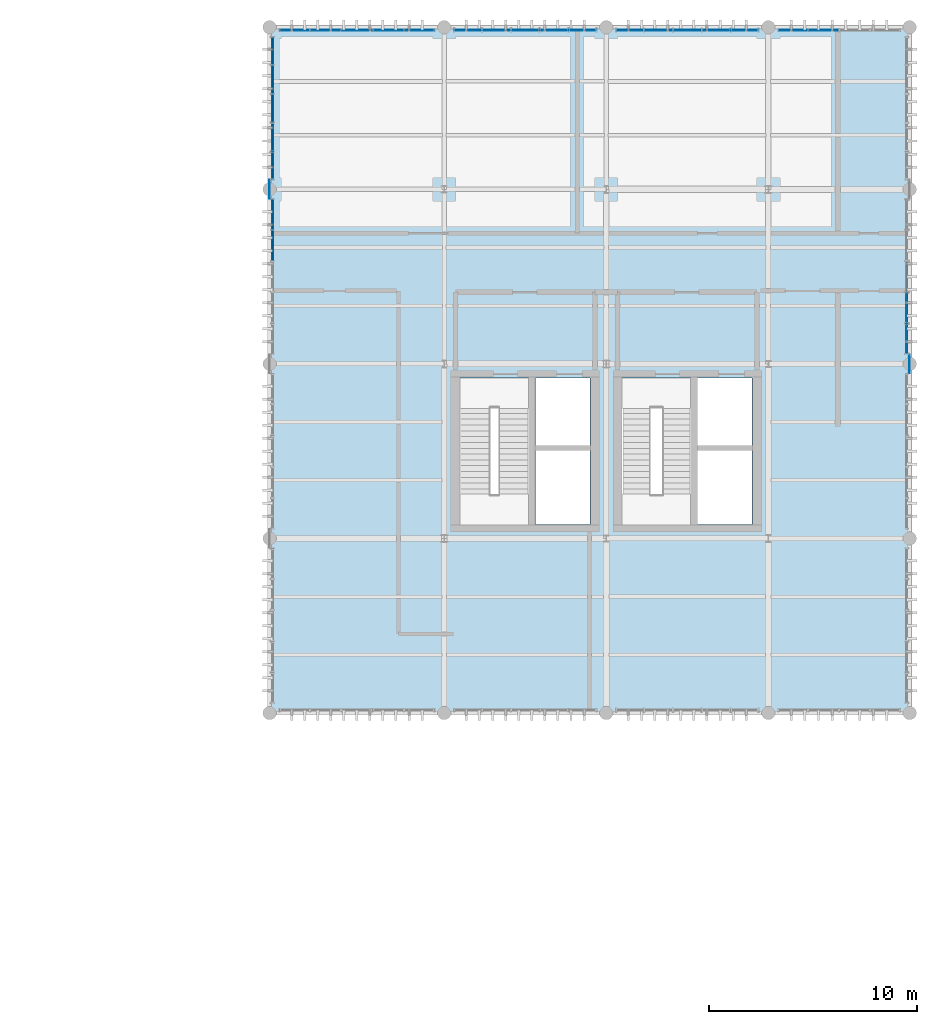
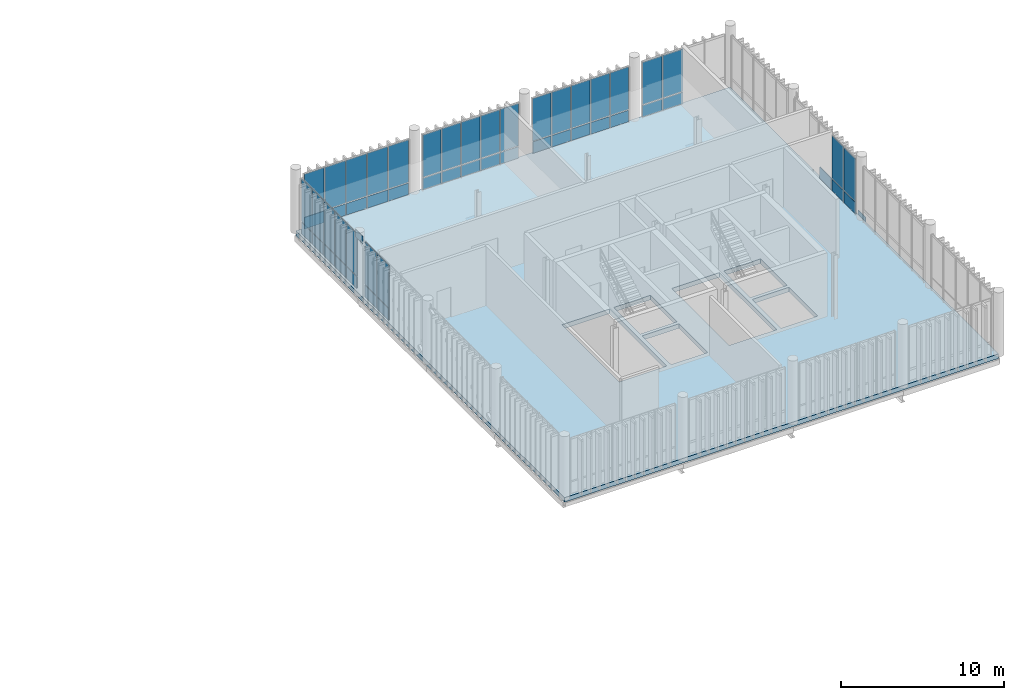
# One storey, part 69 of 86: 55 plates, 1 slab, 7 elements without a shape of their own.
"""IFC4 building model written with IfcOpenShell, lengths in metres."""

from ifc_helpers import new_model, si_unit, direction, frame, frame_2d, origin_with_axes, origin_2d_with_axis, place, context, subcontext, project, spatial, polyline, rectangle, outline, extrude, material, layer, layer_set, type_object, element, aggregate, save


model = new_model("IFC4")

# Units and contexts
model_context = context("Model", 3, precision=1e-05, world=origin_with_axes(), true_north=direction((0.0, 1.0)))
body_context = subcontext(model_context, "Body", "Model", "MODEL_VIEW")
ifc_project = project(units=[si_unit("LENGTHUNIT", "METRE"), si_unit("AREAUNIT", "SQUARE_METRE"), si_unit("VOLUMEUNIT", "CUBIC_METRE"), si_unit("PLANEANGLEUNIT", "RADIAN"), si_unit("MASSUNIT", "GRAM", prefix="KILO"), si_unit("THERMODYNAMICTEMPERATUREUNIT", "KELVIN")], contexts=[model_context])

# Site, building, storey
site_placement = place(None, origin_with_axes())
site = spatial("IfcSite", under=ifc_project, at=site_placement, CompositionType="ELEMENT")
building_placement = place(site_placement, origin_with_axes())
building = spatial("IfcBuilding", under=site, at=building_placement, Name="Montbau Bow Law Courts", CompositionType="ELEMENT")
storey_placement = place(building_placement, frame((0.0, 0.0, 29.7), z_axis=(0.0, 0.0, 1.0), x_axis=(1.0, 0.0, 0.0)))
storey = spatial("IfcBuildingStorey", under=building, at=storey_placement, Name="L06", CompositionType="ELEMENT", Elevation=29.7)

# Curtain wall, plates
ifc_material_1 = material(Name="Thermally Broken Extruded Aluminium AA 6063-T6", Category="aluminium")
curtain_wall_type = type_object("IfcCurtainWallType", Name="CW-SLT-02", PredefinedType="NOTDEFINED", material=ifc_material_1)
curtain_wall_1_placement = place(None, frame((139.04, 110.86, 29.7), z_axis=(0.0, 0.0, 1.0), x_axis=(1.0, 0.0, 0.0)))
curtain_wall_1 = element("IfcCurtainWall", 1, at=curtain_wall_1_placement, inside=storey, type_object=curtain_wall_type, Name="CW-L06-353:cw_0353", PredefinedType="NOTDEFINED")
ifc_material_2 = material(Name="Triple-Glazed Low-E Argon Insulating Glass Unit", Category="glass")
ifc_layer_1 = layer(ifc_material_2, 0.044, Name="Curtain Panel", Category="glass")
ifc_layer_set_1 = layer_set([ifc_layer_1], Name="Triple-Glazed Low-E Argon Insulating Glass Unit")
plate_type_1 = type_object("IfcPlateType", Name="PL-CWP-01", PredefinedType="CURTAIN_PANEL", material=ifc_layer_set_1)
plate_1_placement = place(None, frame((139.102, 110.86, 30.679), z_axis=(0.0, -1.0, 0.0), x_axis=(1.0, 0.0, 0.0)))
plate_1 = element("IfcPlate", 2, at=plate_1_placement, type_object=plate_type_1, Name="CW-L06-353-P01-2:cw_0353_P01_2", PredefinedType="CURTAIN_PANEL", context=body_context, shape_type="SweptSolid", body=[
    extrude(rectangle(XDim=1.41, YDim=3.183, at=frame_2d((0.705, 1.5915), x_axis=(1.0, 0.0))), frame((0.0, 0.0, -0.022), z_axis=(0.0, 0.0, 1.0), x_axis=(1.0, 0.0, 0.0)), (0.0, 0.0, 1.0), 0.044),
])
plate_2_placement = place(None, frame((140.576, 110.86, 30.679), z_axis=(0.0, -1.0, 0.0), x_axis=(1.0, 0.0, 0.0)))
plate_2 = element("IfcPlate", 3, at=plate_2_placement, type_object=plate_type_1, Name="CW-L06-353-P02-2:cw_0353_P02_2", PredefinedType="CURTAIN_PANEL", context=body_context, shape_type="SweptSolid", body=[
    extrude(rectangle(XDim=1.44, YDim=3.183, at=frame_2d((0.72, 1.5915), x_axis=(1.0, 0.0))), frame((0.0, 0.0, -0.022), z_axis=(0.0, 0.0, 1.0), x_axis=(1.0, 0.0, 0.0)), (0.0, 0.0, 1.0), 0.044),
])
plate_3_placement = place(None, frame((142.08, 110.86, 30.679), z_axis=(0.0, -1.0, 0.0), x_axis=(1.0, 0.0, 0.0)))
plate_3 = element("IfcPlate", 4, at=plate_3_placement, type_object=plate_type_1, Name="CW-L06-353-P03-2:cw_0353_P03_2", PredefinedType="CURTAIN_PANEL", context=body_context, shape_type="SweptSolid", body=[
    extrude(rectangle(XDim=1.44, YDim=3.183, at=frame_2d((0.72, 1.5915), x_axis=(1.0, 0.0))), frame((0.0, 0.0, -0.022), z_axis=(0.0, 0.0, 1.0), x_axis=(1.0, 0.0, 0.0)), (0.0, 0.0, 1.0), 0.044),
])
plate_4_placement = place(None, frame((143.584, 110.86, 30.679), z_axis=(0.0, -1.0, 0.0), x_axis=(1.0, 0.0, 0.0)))
plate_4 = element("IfcPlate", 5, at=plate_4_placement, type_object=plate_type_1, Name="CW-L06-353-P04-2:cw_0353_P04_2", PredefinedType="CURTAIN_PANEL", context=body_context, shape_type="SweptSolid", body=[
    extrude(rectangle(XDim=1.44, YDim=3.183, at=frame_2d((0.72, 1.5915), x_axis=(1.0, 0.0))), frame((0.0, 0.0, -0.022), z_axis=(0.0, 0.0, 1.0), x_axis=(1.0, 0.0, 0.0)), (0.0, 0.0, 1.0), 0.044),
])
plate_5_placement = place(None, frame((145.088, 110.86, 30.679), z_axis=(0.0, -1.0, 0.0), x_axis=(1.0, 0.0, 0.0)))
plate_5 = element("IfcPlate", 6, at=plate_5_placement, type_object=plate_type_1, Name="CW-L06-353-P05-2:cw_0353_P05_2", PredefinedType="CURTAIN_PANEL", context=body_context, shape_type="SweptSolid", body=[
    extrude(rectangle(XDim=1.41, YDim=3.183, at=frame_2d((0.705, 1.5915), x_axis=(1.0, 0.0))), frame((0.0, 0.0, -0.022), z_axis=(0.0, 0.0, 1.0), x_axis=(1.0, 0.0, 0.0)), (0.0, 0.0, 1.0), 0.044),
])

curtain_wall_2_placement = place(None, frame((147.44, 110.86, 29.7), z_axis=(0.0, 0.0, 1.0), x_axis=(1.0, 0.0, 0.0)))
curtain_wall_2 = element("IfcCurtainWall", 7, at=curtain_wall_2_placement, inside=storey, type_object=curtain_wall_type, Name="CW-L06-354:cw_0354", PredefinedType="NOTDEFINED")
plate_6_placement = place(None, frame((147.516, 110.86, 30.682), z_axis=(0.0, -1.0, 0.0), x_axis=(1.0, 0.0, 0.0)))
plate_6 = element("IfcPlate", 8, at=plate_6_placement, type_object=plate_type_1, Name="CW-L06-354-P01-2:cw_0354_P01_2", PredefinedType="CURTAIN_PANEL", context=body_context, shape_type="SweptSolid", body=[
    extrude(rectangle(XDim=1.268, YDim=3.176, at=frame_2d((0.634, 1.588), x_axis=(1.0, 0.0))), frame((0.0, 0.0, -0.022), z_axis=(0.0, 0.0, 1.0), x_axis=(1.0, 0.0, 0.0)), (0.0, 0.0, 1.0), 0.044),
])
plate_7_placement = place(None, frame((148.863, 110.86, 30.682), z_axis=(0.0, -1.0, 0.0), x_axis=(1.0, 0.0, 0.0)))
plate_7 = element("IfcPlate", 9, at=plate_7_placement, type_object=plate_type_1, Name="CW-L06-354-P02-2:cw_0354_P02_2", PredefinedType="CURTAIN_PANEL", context=body_context, shape_type="SweptSolid", body=[
    extrude(rectangle(XDim=1.305, YDim=3.176, at=frame_2d((0.6525, 1.588), x_axis=(1.0, 0.0))), frame((0.0, 0.0, -0.022), z_axis=(0.0, 0.0, 1.0), x_axis=(1.0, 0.0, 0.0)), (0.0, 0.0, 1.0), 0.044),
])
plate_8_placement = place(None, frame((150.247, 110.86, 30.682), z_axis=(0.0, -1.0, 0.0), x_axis=(1.0, 0.0, 0.0)))
plate_8 = element("IfcPlate", 10, at=plate_8_placement, type_object=plate_type_1, Name="CW-L06-354-P03-2:cw_0354_P03_2", PredefinedType="CURTAIN_PANEL", context=body_context, shape_type="SweptSolid", body=[
    extrude(rectangle(XDim=1.306, YDim=3.176, at=frame_2d((0.653, 1.588), x_axis=(1.0, 0.0))), frame((0.0, 0.0, -0.022), z_axis=(0.0, 0.0, 1.0), x_axis=(1.0, 0.0, 0.0)), (0.0, 0.0, 1.0), 0.044),
])
plate_9_placement = place(None, frame((151.631, 110.86, 30.682), z_axis=(0.0, -1.0, 0.0), x_axis=(1.0, 0.0, 0.0)))
plate_9 = element("IfcPlate", 11, at=plate_9_placement, type_object=plate_type_1, Name="CW-L06-354-P04-2:cw_0354_P04_2", PredefinedType="CURTAIN_PANEL", context=body_context, shape_type="SweptSolid", body=[
    extrude(rectangle(XDim=1.306, YDim=3.176, at=frame_2d((0.653, 1.588), x_axis=(1.0, 0.0))), frame((0.0, 0.0, -0.022), z_axis=(0.0, 0.0, 1.0), x_axis=(1.0, 0.0, 0.0)), (0.0, 0.0, 1.0), 0.044),
])
plate_10_placement = place(None, frame((153.015, 110.86, 30.682), z_axis=(0.0, -1.0, 0.0), x_axis=(1.0, 0.0, 0.0)))
plate_10 = element("IfcPlate", 12, at=plate_10_placement, type_object=plate_type_1, Name="CW-L06-354-P05-2:cw_0354_P05_2", PredefinedType="CURTAIN_PANEL", context=body_context, shape_type="SweptSolid", body=[
    extrude(rectangle(XDim=1.269, YDim=3.176, at=frame_2d((0.6345, 1.588), x_axis=(1.0, 0.0))), frame((0.0, 0.0, -0.022), z_axis=(0.0, 0.0, 1.0), x_axis=(1.0, 0.0, 0.0)), (0.0, 0.0, 1.0), 0.044),
])

curtain_wall_3_placement = place(None, frame((155.24, 110.86, 29.7), z_axis=(0.0, 0.0, 1.0), x_axis=(1.0, 0.0, 0.0)))
curtain_wall_3 = element("IfcCurtainWall", 13, at=curtain_wall_3_placement, inside=storey, type_object=curtain_wall_type, Name="CW-L06-355:cw_0355", PredefinedType="NOTDEFINED")
plate_11_placement = place(None, frame((155.308, 110.86, 30.679), z_axis=(0.0, -1.0, 0.0), x_axis=(1.0, 0.0, 0.0)))
plate_11 = element("IfcPlate", 14, at=plate_11_placement, type_object=plate_type_1, Name="CW-L06-355-P01-2:cw_0355_P01_2", PredefinedType="CURTAIN_PANEL", context=body_context, shape_type="SweptSolid", body=[
    extrude(rectangle(XDim=1.281, YDim=3.183, at=frame_2d((0.6405, 1.5915), x_axis=(1.0, 0.0))), frame((0.0, 0.0, -0.022), z_axis=(0.0, 0.0, 1.0), x_axis=(1.0, 0.0, 0.0)), (0.0, 0.0, 1.0), 0.044),
])
plate_12_placement = place(None, frame((156.658, 110.86, 30.679), z_axis=(0.0, -1.0, 0.0), x_axis=(1.0, 0.0, 0.0)))
plate_12 = element("IfcPlate", 15, at=plate_12_placement, type_object=plate_type_1, Name="CW-L06-355-P02-2:cw_0355_P02_2", PredefinedType="CURTAIN_PANEL", context=body_context, shape_type="SweptSolid", body=[
    extrude(rectangle(XDim=1.315, YDim=3.183, at=frame_2d((0.6575, 1.5915), x_axis=(1.0, 0.0))), frame((0.0, 0.0, -0.022), z_axis=(0.0, 0.0, 1.0), x_axis=(1.0, 0.0, 0.0)), (0.0, 0.0, 1.0), 0.044),
])
plate_13_placement = place(None, frame((158.042, 110.86, 30.679), z_axis=(0.0, -1.0, 0.0), x_axis=(1.0, 0.0, 0.0)))
plate_13 = element("IfcPlate", 16, at=plate_13_placement, type_object=plate_type_1, Name="CW-L06-355-P03-2:cw_0355_P03_2", PredefinedType="CURTAIN_PANEL", context=body_context, shape_type="SweptSolid", body=[
    extrude(rectangle(XDim=1.316, YDim=3.183, at=frame_2d((0.658, 1.5915), x_axis=(1.0, 0.0))), frame((0.0, 0.0, -0.022), z_axis=(0.0, 0.0, 1.0), x_axis=(1.0, 0.0, 0.0)), (0.0, 0.0, 1.0), 0.044),
])
plate_14_placement = place(None, frame((159.426, 110.86, 30.679), z_axis=(0.0, -1.0, 0.0), x_axis=(1.0, 0.0, 0.0)))
plate_14 = element("IfcPlate", 17, at=plate_14_placement, type_object=plate_type_1, Name="CW-L06-355-P04-2:cw_0355_P04_2", PredefinedType="CURTAIN_PANEL", context=body_context, shape_type="SweptSolid", body=[
    extrude(rectangle(XDim=1.316, YDim=3.183, at=frame_2d((0.658, 1.5915), x_axis=(1.0, 0.0))), frame((0.0, 0.0, -0.022), z_axis=(0.0, 0.0, 1.0), x_axis=(1.0, 0.0, 0.0)), (0.0, 0.0, 1.0), 0.044),
])
plate_15_placement = place(None, frame((160.81, 110.86, 30.679), z_axis=(0.0, -1.0, 0.0), x_axis=(1.0, 0.0, 0.0)))
plate_15 = element("IfcPlate", 18, at=plate_15_placement, type_object=plate_type_1, Name="CW-L06-355-P05-2:cw_0355_P05_2", PredefinedType="CURTAIN_PANEL", context=body_context, shape_type="SweptSolid", body=[
    extrude(rectangle(XDim=1.283, YDim=3.183, at=frame_2d((0.6415, 1.5915), x_axis=(1.0, 0.0))), frame((0.0, 0.0, -0.022), z_axis=(0.0, 0.0, 1.0), x_axis=(1.0, 0.0, 0.0)), (0.0, 0.0, 1.0), 0.044),
])

curtain_wall_4_placement = place(None, frame((163.04, 110.86, 29.7), z_axis=(0.0, 0.0, 1.0), x_axis=(1.0, 0.0, 0.0)))
curtain_wall_4 = element("IfcCurtainWall", 19, at=curtain_wall_4_placement, inside=storey, type_object=curtain_wall_type, Name="CW-L06-356:cw_0356", PredefinedType="NOTDEFINED")
plate_16_placement = place(None, frame((163.102, 110.86, 30.682), z_axis=(0.0, -1.0, 0.0), x_axis=(1.0, 0.0, 0.0)))
plate_16 = element("IfcPlate", 20, at=plate_16_placement, type_object=plate_type_1, Name="CW-L06-356-P01-2:cw_0356_P01_2", PredefinedType="CURTAIN_PANEL", context=body_context, shape_type="SweptSolid", body=[
    extrude(rectangle(XDim=1.386, YDim=3.176, at=frame_2d((0.693, 1.588), x_axis=(1.0, 0.0))), frame((0.0, 0.0, -0.022), z_axis=(0.0, 0.0, 1.0), x_axis=(1.0, 0.0, 0.0)), (0.0, 0.0, 1.0), 0.044),
])
plate_17_placement = place(None, frame((164.552, 110.86, 30.682), z_axis=(0.0, -1.0, 0.0), x_axis=(1.0, 0.0, 0.0)))
plate_17 = element("IfcPlate", 21, at=plate_17_placement, type_object=plate_type_1, Name="CW-L06-356-P02-2:cw_0356_P02_2", PredefinedType="CURTAIN_PANEL", context=body_context, shape_type="SweptSolid", body=[
    extrude(rectangle(XDim=1.416, YDim=3.176, at=frame_2d((0.708, 1.588), x_axis=(1.0, 0.0))), frame((0.0, 0.0, -0.022), z_axis=(0.0, 0.0, 1.0), x_axis=(1.0, 0.0, 0.0)), (0.0, 0.0, 1.0), 0.044),
])

curtain_wall_5_placement = place(None, frame((138.74, 95.24, 29.7), z_axis=(0.0, 0.0, 1.0), x_axis=(1.0, 0.0, 0.0)))
curtain_wall_5 = element("IfcCurtainWall", 22, at=curtain_wall_5_placement, inside=storey, type_object=curtain_wall_type, Name="CW-L06-359:cw_0359", PredefinedType="NOTDEFINED")
plate_18_placement = place(None, frame((138.74, 99.784, 30.679), z_axis=(1.0, 0.0, 0.0), x_axis=(0.0, 1.0, 0.0)))
plate_18 = element("IfcPlate", 23, at=plate_18_placement, type_object=plate_type_1, Name="CW-L06-359-P04-2:cw_0359_P04_2", PredefinedType="CURTAIN_PANEL", context=body_context, shape_type="SweptSolid", body=[
    extrude(rectangle(XDim=1.44, YDim=3.183, at=frame_2d((0.72, 1.5915), x_axis=(1.0, 0.0))), frame((0.0, 0.0, -0.022), z_axis=(0.0, 0.0, 1.0), x_axis=(1.0, 0.0, 0.0)), (0.0, 0.0, 1.0), 0.044),
])
plate_19_placement = place(None, frame((138.74, 101.288, 30.679), z_axis=(1.0, 0.0, 0.0), x_axis=(0.0, 1.0, 0.0)))
plate_19 = element("IfcPlate", 24, at=plate_19_placement, type_object=plate_type_1, Name="CW-L06-359-P05-2:cw_0359_P05_2", PredefinedType="CURTAIN_PANEL", context=body_context, shape_type="SweptSolid", body=[
    extrude(rectangle(XDim=1.41, YDim=3.183, at=frame_2d((0.705, 1.5915), x_axis=(1.0, 0.0))), frame((0.0, 0.0, -0.022), z_axis=(0.0, 0.0, 1.0), x_axis=(1.0, 0.0, 0.0)), (0.0, 0.0, 1.0), 0.044),
])

curtain_wall_6_placement = place(None, frame((138.74, 103.64, 29.7), z_axis=(0.0, 0.0, 1.0), x_axis=(1.0, 0.0, 0.0)))
curtain_wall_6 = element("IfcCurtainWall", 25, at=curtain_wall_6_placement, inside=storey, type_object=curtain_wall_type, Name="CW-L06-360:cw_0360", PredefinedType="NOTDEFINED")
plate_20_placement = place(None, frame((138.74, 103.716, 30.682), z_axis=(1.0, 0.0, 0.0), x_axis=(0.0, 1.0, 0.0)))
plate_20 = element("IfcPlate", 26, at=plate_20_placement, type_object=plate_type_1, Name="CW-L06-360-P01-2:cw_0360_P01_2", PredefinedType="CURTAIN_PANEL", context=body_context, shape_type="SweptSolid", body=[
    extrude(rectangle(XDim=1.268, YDim=3.176, at=frame_2d((0.634, 1.588), x_axis=(1.0, 0.0))), frame((0.0, 0.0, -0.022), z_axis=(0.0, 0.0, 1.0), x_axis=(1.0, 0.0, 0.0)), (0.0, 0.0, 1.0), 0.044),
])
plate_21_placement = place(None, frame((138.74, 105.063, 30.682), z_axis=(1.0, 0.0, 0.0), x_axis=(0.0, 1.0, 0.0)))
plate_21 = element("IfcPlate", 27, at=plate_21_placement, type_object=plate_type_1, Name="CW-L06-360-P02-2:cw_0360_P02_2", PredefinedType="CURTAIN_PANEL", context=body_context, shape_type="SweptSolid", body=[
    extrude(rectangle(XDim=1.305, YDim=3.176, at=frame_2d((0.6525, 1.588), x_axis=(1.0, 0.0))), frame((0.0, 0.0, -0.022), z_axis=(0.0, 0.0, 1.0), x_axis=(1.0, 0.0, 0.0)), (0.0, 0.0, 1.0), 0.044),
])
plate_22_placement = place(None, frame((138.74, 106.447, 30.682), z_axis=(1.0, 0.0, 0.0), x_axis=(0.0, 1.0, 0.0)))
plate_22 = element("IfcPlate", 28, at=plate_22_placement, type_object=plate_type_1, Name="CW-L06-360-P03-2:cw_0360_P03_2", PredefinedType="CURTAIN_PANEL", context=body_context, shape_type="SweptSolid", body=[
    extrude(rectangle(XDim=1.306, YDim=3.176, at=frame_2d((0.653, 1.588), x_axis=(1.0, 0.0))), frame((0.0, 0.0, -0.022), z_axis=(0.0, 0.0, 1.0), x_axis=(1.0, 0.0, 0.0)), (0.0, 0.0, 1.0), 0.044),
])
plate_23_placement = place(None, frame((138.74, 107.831, 30.682), z_axis=(1.0, 0.0, 0.0), x_axis=(0.0, 1.0, 0.0)))
plate_23 = element("IfcPlate", 29, at=plate_23_placement, type_object=plate_type_1, Name="CW-L06-360-P04-2:cw_0360_P04_2", PredefinedType="CURTAIN_PANEL", context=body_context, shape_type="SweptSolid", body=[
    extrude(rectangle(XDim=1.306, YDim=3.176, at=frame_2d((0.653, 1.588), x_axis=(1.0, 0.0))), frame((0.0, 0.0, -0.022), z_axis=(0.0, 0.0, 1.0), x_axis=(1.0, 0.0, 0.0)), (0.0, 0.0, 1.0), 0.044),
])
plate_24_placement = place(None, frame((138.74, 109.215, 30.682), z_axis=(1.0, 0.0, 0.0), x_axis=(0.0, 1.0, 0.0)))
plate_24 = element("IfcPlate", 30, at=plate_24_placement, type_object=plate_type_1, Name="CW-L06-360-P05-2:cw_0360_P05_2", PredefinedType="CURTAIN_PANEL", context=body_context, shape_type="SweptSolid", body=[
    extrude(rectangle(XDim=1.269, YDim=3.176, at=frame_2d((0.6345, 1.588), x_axis=(1.0, 0.0))), frame((0.0, 0.0, -0.022), z_axis=(0.0, 0.0, 1.0), x_axis=(1.0, 0.0, 0.0)), (0.0, 0.0, 1.0), 0.044),
])

curtain_wall_7_placement = place(None, frame((169.26, 95.24, 29.7), z_axis=(0.0, 0.0, 1.0), x_axis=(1.0, 0.0, 0.0)))
curtain_wall_7 = element("IfcCurtainWall", 31, at=curtain_wall_7_placement, inside=storey, type_object=curtain_wall_type, Name="CW-L06-363:cw_0363", PredefinedType="NOTDEFINED")
plate_25_placement = place(None, frame((169.26, 95.316, 30.679), z_axis=(1.0, 0.0, 0.0), x_axis=(0.0, 1.0, 0.0)))
plate_25 = element("IfcPlate", 32, at=plate_25_placement, type_object=plate_type_1, Name="CW-L06-363-P01-2:cw_0363_P01_2", PredefinedType="CURTAIN_PANEL", context=body_context, shape_type="SweptSolid", body=[
    extrude(rectangle(XDim=1.388, YDim=3.183, at=frame_2d((0.694, 1.5915), x_axis=(1.0, 0.0))), frame((0.0, 0.0, -0.022), z_axis=(0.0, 0.0, 1.0), x_axis=(1.0, 0.0, 0.0)), (0.0, 0.0, 1.0), 0.044),
])
plate_26_placement = place(None, frame((169.26, 96.784, 30.679), z_axis=(1.0, 0.0, 0.0), x_axis=(0.0, 1.0, 0.0)))
plate_26 = element("IfcPlate", 33, at=plate_26_placement, type_object=plate_type_1, Name="CW-L06-363-P02-2:cw_0363_P02_2", PredefinedType="CURTAIN_PANEL", context=body_context, shape_type="SweptSolid", body=[
    extrude(rectangle(XDim=1.425, YDim=3.183, at=frame_2d((0.7125, 1.5915), x_axis=(1.0, 0.0))), frame((0.0, 0.0, -0.022), z_axis=(0.0, 0.0, 1.0), x_axis=(1.0, 0.0, 0.0)), (0.0, 0.0, 1.0), 0.044),
])

# Plate
ifc_material_3 = material(Name="Insulated Ceramic-Frit Spandrel Glazing Unit", Category="glass")
ifc_layer_2 = layer(ifc_material_3, 0.056, Name="Curtain Panel", Category="glass")
ifc_layer_set_2 = layer_set([ifc_layer_2], Name="Insulated Ceramic-Frit Spandrel Glazing Unit")
plate_type_2 = type_object("IfcPlateType", Name="PL-CWP-02", PredefinedType="CURTAIN_PANEL", material=ifc_layer_set_2)
plate_27_placement = place(None, frame((139.102, 110.86, 29.756), z_axis=(0.0, -1.0, 0.0), x_axis=(1.0, 0.0, 0.0)))
plate_27 = element("IfcPlate", 34, at=plate_27_placement, type_object=plate_type_2, Name="CW-L06-353-P01-1:cw_0353_P01_1", PredefinedType="CURTAIN_PANEL", context=body_context, shape_type="SweptSolid", body=[
    extrude(rectangle(XDim=1.41, YDim=0.864, at=frame_2d((0.705, 0.432), x_axis=(1.0, 0.0))), frame((0.0, 0.0, -0.028), z_axis=(0.0, 0.0, 1.0), x_axis=(1.0, 0.0, 0.0)), (0.0, 0.0, 1.0), 0.056),
])

plate_28_placement = place(None, frame((140.576, 110.86, 29.756), z_axis=(0.0, -1.0, 0.0), x_axis=(1.0, 0.0, 0.0)))
plate_28 = element("IfcPlate", 35, at=plate_28_placement, type_object=plate_type_2, Name="CW-L06-353-P02-1:cw_0353_P02_1", PredefinedType="CURTAIN_PANEL", context=body_context, shape_type="SweptSolid", body=[
    extrude(rectangle(XDim=1.44, YDim=0.864, at=frame_2d((0.72, 0.432), x_axis=(1.0, 0.0))), frame((0.0, 0.0, -0.028), z_axis=(0.0, 0.0, 1.0), x_axis=(1.0, 0.0, 0.0)), (0.0, 0.0, 1.0), 0.056),
])

plate_29_placement = place(None, frame((142.08, 110.86, 29.756), z_axis=(0.0, -1.0, 0.0), x_axis=(1.0, 0.0, 0.0)))
plate_29 = element("IfcPlate", 36, at=plate_29_placement, type_object=plate_type_2, Name="CW-L06-353-P03-1:cw_0353_P03_1", PredefinedType="CURTAIN_PANEL", context=body_context, shape_type="SweptSolid", body=[
    extrude(rectangle(XDim=1.44, YDim=0.864, at=frame_2d((0.72, 0.432), x_axis=(1.0, 0.0))), frame((0.0, 0.0, -0.028), z_axis=(0.0, 0.0, 1.0), x_axis=(1.0, 0.0, 0.0)), (0.0, 0.0, 1.0), 0.056),
])

plate_30_placement = place(None, frame((143.584, 110.86, 29.756), z_axis=(0.0, -1.0, 0.0), x_axis=(1.0, 0.0, 0.0)))
plate_30 = element("IfcPlate", 37, at=plate_30_placement, type_object=plate_type_2, Name="CW-L06-353-P04-1:cw_0353_P04_1", PredefinedType="CURTAIN_PANEL", context=body_context, shape_type="SweptSolid", body=[
    extrude(rectangle(XDim=1.44, YDim=0.864, at=frame_2d((0.72, 0.432), x_axis=(1.0, 0.0))), frame((0.0, 0.0, -0.028), z_axis=(0.0, 0.0, 1.0), x_axis=(1.0, 0.0, 0.0)), (0.0, 0.0, 1.0), 0.056),
])

plate_31_placement = place(None, frame((145.088, 110.86, 29.756), z_axis=(0.0, -1.0, 0.0), x_axis=(1.0, 0.0, 0.0)))
plate_31 = element("IfcPlate", 38, at=plate_31_placement, type_object=plate_type_2, Name="CW-L06-353-P05-1:cw_0353_P05_1", PredefinedType="CURTAIN_PANEL", context=body_context, shape_type="SweptSolid", body=[
    extrude(rectangle(XDim=1.41, YDim=0.864, at=frame_2d((0.705, 0.432), x_axis=(1.0, 0.0))), frame((0.0, 0.0, -0.028), z_axis=(0.0, 0.0, 1.0), x_axis=(1.0, 0.0, 0.0)), (0.0, 0.0, 1.0), 0.056),
])

aggregate(curtain_wall_1, [plate_27, plate_1, plate_28, plate_2, plate_29, plate_3, plate_30, plate_4, plate_31, plate_5])

plate_32_placement = place(None, frame((147.516, 110.86, 29.762), z_axis=(0.0, -1.0, 0.0), x_axis=(1.0, 0.0, 0.0)))
plate_32 = element("IfcPlate", 39, at=plate_32_placement, type_object=plate_type_2, Name="CW-L06-354-P01-1:cw_0354_P01_1", PredefinedType="CURTAIN_PANEL", context=body_context, shape_type="SweptSolid", body=[
    extrude(rectangle(XDim=1.268, YDim=0.856, at=frame_2d((0.634, 0.428), x_axis=(1.0, 0.0))), frame((0.0, 0.0, -0.028), z_axis=(0.0, 0.0, 1.0), x_axis=(1.0, 0.0, 0.0)), (0.0, 0.0, 1.0), 0.056),
])

plate_33_placement = place(None, frame((148.863, 110.86, 29.762), z_axis=(0.0, -1.0, 0.0), x_axis=(1.0, 0.0, 0.0)))
plate_33 = element("IfcPlate", 40, at=plate_33_placement, type_object=plate_type_2, Name="CW-L06-354-P02-1:cw_0354_P02_1", PredefinedType="CURTAIN_PANEL", context=body_context, shape_type="SweptSolid", body=[
    extrude(rectangle(XDim=1.305, YDim=0.856, at=frame_2d((0.6525, 0.428), x_axis=(1.0, 0.0))), frame((0.0, 0.0, -0.028), z_axis=(0.0, 0.0, 1.0), x_axis=(1.0, 0.0, 0.0)), (0.0, 0.0, 1.0), 0.056),
])

plate_34_placement = place(None, frame((150.247, 110.86, 29.762), z_axis=(0.0, -1.0, 0.0), x_axis=(1.0, 0.0, 0.0)))
plate_34 = element("IfcPlate", 41, at=plate_34_placement, type_object=plate_type_2, Name="CW-L06-354-P03-1:cw_0354_P03_1", PredefinedType="CURTAIN_PANEL", context=body_context, shape_type="SweptSolid", body=[
    extrude(rectangle(XDim=1.306, YDim=0.856, at=frame_2d((0.653, 0.428), x_axis=(1.0, 0.0))), frame((0.0, 0.0, -0.028), z_axis=(0.0, 0.0, 1.0), x_axis=(1.0, 0.0, 0.0)), (0.0, 0.0, 1.0), 0.056),
])

plate_35_placement = place(None, frame((151.631, 110.86, 29.762), z_axis=(0.0, -1.0, 0.0), x_axis=(1.0, 0.0, 0.0)))
plate_35 = element("IfcPlate", 42, at=plate_35_placement, type_object=plate_type_2, Name="CW-L06-354-P04-1:cw_0354_P04_1", PredefinedType="CURTAIN_PANEL", context=body_context, shape_type="SweptSolid", body=[
    extrude(rectangle(XDim=1.306, YDim=0.856, at=frame_2d((0.653, 0.428), x_axis=(1.0, 0.0))), frame((0.0, 0.0, -0.028), z_axis=(0.0, 0.0, 1.0), x_axis=(1.0, 0.0, 0.0)), (0.0, 0.0, 1.0), 0.056),
])

plate_36_placement = place(None, frame((153.015, 110.86, 29.762), z_axis=(0.0, -1.0, 0.0), x_axis=(1.0, 0.0, 0.0)))
plate_36 = element("IfcPlate", 43, at=plate_36_placement, type_object=plate_type_2, Name="CW-L06-354-P05-1:cw_0354_P05_1", PredefinedType="CURTAIN_PANEL", context=body_context, shape_type="SweptSolid", body=[
    extrude(rectangle(XDim=1.269, YDim=0.856, at=frame_2d((0.6345, 0.428), x_axis=(1.0, 0.0))), frame((0.0, 0.0, -0.028), z_axis=(0.0, 0.0, 1.0), x_axis=(1.0, 0.0, 0.0)), (0.0, 0.0, 1.0), 0.056),
])

aggregate(curtain_wall_2, [plate_32, plate_6, plate_33, plate_7, plate_34, plate_8, plate_35, plate_9, plate_36, plate_10])

plate_37_placement = place(None, frame((155.308, 110.86, 29.756), z_axis=(0.0, -1.0, 0.0), x_axis=(1.0, 0.0, 0.0)))
plate_37 = element("IfcPlate", 44, at=plate_37_placement, type_object=plate_type_2, Name="CW-L06-355-P01-1:cw_0355_P01_1", PredefinedType="CURTAIN_PANEL", context=body_context, shape_type="SweptSolid", body=[
    extrude(rectangle(XDim=1.281, YDim=0.864, at=frame_2d((0.6405, 0.432), x_axis=(1.0, 0.0))), frame((0.0, 0.0, -0.028), z_axis=(0.0, 0.0, 1.0), x_axis=(1.0, 0.0, 0.0)), (0.0, 0.0, 1.0), 0.056),
])

plate_38_placement = place(None, frame((156.658, 110.86, 29.756), z_axis=(0.0, -1.0, 0.0), x_axis=(1.0, 0.0, 0.0)))
plate_38 = element("IfcPlate", 45, at=plate_38_placement, type_object=plate_type_2, Name="CW-L06-355-P02-1:cw_0355_P02_1", PredefinedType="CURTAIN_PANEL", context=body_context, shape_type="SweptSolid", body=[
    extrude(rectangle(XDim=1.315, YDim=0.864, at=frame_2d((0.6575, 0.432), x_axis=(1.0, 0.0))), frame((0.0, 0.0, -0.028), z_axis=(0.0, 0.0, 1.0), x_axis=(1.0, 0.0, 0.0)), (0.0, 0.0, 1.0), 0.056),
])

plate_39_placement = place(None, frame((158.042, 110.86, 29.756), z_axis=(0.0, -1.0, 0.0), x_axis=(1.0, 0.0, 0.0)))
plate_39 = element("IfcPlate", 46, at=plate_39_placement, type_object=plate_type_2, Name="CW-L06-355-P03-1:cw_0355_P03_1", PredefinedType="CURTAIN_PANEL", context=body_context, shape_type="SweptSolid", body=[
    extrude(rectangle(XDim=1.316, YDim=0.864, at=frame_2d((0.658, 0.432), x_axis=(1.0, 0.0))), frame((0.0, 0.0, -0.028), z_axis=(0.0, 0.0, 1.0), x_axis=(1.0, 0.0, 0.0)), (0.0, 0.0, 1.0), 0.056),
])

plate_40_placement = place(None, frame((159.426, 110.86, 29.756), z_axis=(0.0, -1.0, 0.0), x_axis=(1.0, 0.0, 0.0)))
plate_40 = element("IfcPlate", 47, at=plate_40_placement, type_object=plate_type_2, Name="CW-L06-355-P04-1:cw_0355_P04_1", PredefinedType="CURTAIN_PANEL", context=body_context, shape_type="SweptSolid", body=[
    extrude(rectangle(XDim=1.316, YDim=0.864, at=frame_2d((0.658, 0.432), x_axis=(1.0, 0.0))), frame((0.0, 0.0, -0.028), z_axis=(0.0, 0.0, 1.0), x_axis=(1.0, 0.0, 0.0)), (0.0, 0.0, 1.0), 0.056),
])

plate_41_placement = place(None, frame((160.81, 110.86, 29.756), z_axis=(0.0, -1.0, 0.0), x_axis=(1.0, 0.0, 0.0)))
plate_41 = element("IfcPlate", 48, at=plate_41_placement, type_object=plate_type_2, Name="CW-L06-355-P05-1:cw_0355_P05_1", PredefinedType="CURTAIN_PANEL", context=body_context, shape_type="SweptSolid", body=[
    extrude(rectangle(XDim=1.283, YDim=0.864, at=frame_2d((0.6415, 0.432), x_axis=(1.0, 0.0))), frame((0.0, 0.0, -0.028), z_axis=(0.0, 0.0, 1.0), x_axis=(1.0, 0.0, 0.0)), (0.0, 0.0, 1.0), 0.056),
])

aggregate(curtain_wall_3, [plate_37, plate_11, plate_38, plate_12, plate_39, plate_13, plate_40, plate_14, plate_41, plate_15])

plate_42_placement = place(None, frame((163.102, 110.86, 29.762), z_axis=(0.0, -1.0, 0.0), x_axis=(1.0, 0.0, 0.0)))
plate_42 = element("IfcPlate", 49, at=plate_42_placement, type_object=plate_type_2, Name="CW-L06-356-P01-1:cw_0356_P01_1", PredefinedType="CURTAIN_PANEL", context=body_context, shape_type="SweptSolid", body=[
    extrude(rectangle(XDim=1.386, YDim=0.856, at=frame_2d((0.693, 0.428), x_axis=(1.0, 0.0))), frame((0.0, 0.0, -0.028), z_axis=(0.0, 0.0, 1.0), x_axis=(1.0, 0.0, 0.0)), (0.0, 0.0, 1.0), 0.056),
])

plate_43_placement = place(None, frame((164.552, 110.86, 29.762), z_axis=(0.0, -1.0, 0.0), x_axis=(1.0, 0.0, 0.0)))
plate_43 = element("IfcPlate", 50, at=plate_43_placement, type_object=plate_type_2, Name="CW-L06-356-P02-1:cw_0356_P02_1", PredefinedType="CURTAIN_PANEL", context=body_context, shape_type="SweptSolid", body=[
    extrude(rectangle(XDim=1.416, YDim=0.856, at=frame_2d((0.708, 0.428), x_axis=(1.0, 0.0))), frame((0.0, 0.0, -0.028), z_axis=(0.0, 0.0, 1.0), x_axis=(1.0, 0.0, 0.0)), (0.0, 0.0, 1.0), 0.056),
])

aggregate(curtain_wall_4, [plate_42, plate_16, plate_43, plate_17])

plate_44_placement = place(None, frame((138.74, 99.784, 29.756), z_axis=(1.0, 0.0, 0.0), x_axis=(0.0, 1.0, 0.0)))
plate_44 = element("IfcPlate", 51, at=plate_44_placement, type_object=plate_type_2, Name="CW-L06-359-P04-1:cw_0359_P04_1", PredefinedType="CURTAIN_PANEL", context=body_context, shape_type="SweptSolid", body=[
    extrude(rectangle(XDim=1.44, YDim=0.864, at=frame_2d((0.72, 0.432), x_axis=(1.0, 0.0))), frame((0.0, 0.0, -0.028), z_axis=(0.0, 0.0, 1.0), x_axis=(1.0, 0.0, 0.0)), (0.0, 0.0, 1.0), 0.056),
])

plate_45_placement = place(None, frame((138.74, 101.288, 29.756), z_axis=(1.0, 0.0, 0.0), x_axis=(0.0, 1.0, 0.0)))
plate_45 = element("IfcPlate", 52, at=plate_45_placement, type_object=plate_type_2, Name="CW-L06-359-P05-1:cw_0359_P05_1", PredefinedType="CURTAIN_PANEL", context=body_context, shape_type="SweptSolid", body=[
    extrude(rectangle(XDim=1.41, YDim=0.864, at=frame_2d((0.705, 0.432), x_axis=(1.0, 0.0))), frame((0.0, 0.0, -0.028), z_axis=(0.0, 0.0, 1.0), x_axis=(1.0, 0.0, 0.0)), (0.0, 0.0, 1.0), 0.056),
])

aggregate(curtain_wall_5, [plate_44, plate_18, plate_45, plate_19])

plate_46_placement = place(None, frame((138.74, 103.716, 29.762), z_axis=(1.0, 0.0, 0.0), x_axis=(0.0, 1.0, 0.0)))
plate_46 = element("IfcPlate", 53, at=plate_46_placement, type_object=plate_type_2, Name="CW-L06-360-P01-1:cw_0360_P01_1", PredefinedType="CURTAIN_PANEL", context=body_context, shape_type="SweptSolid", body=[
    extrude(rectangle(XDim=1.268, YDim=0.856, at=frame_2d((0.634, 0.428), x_axis=(1.0, 0.0))), frame((0.0, 0.0, -0.028), z_axis=(0.0, 0.0, 1.0), x_axis=(1.0, 0.0, 0.0)), (0.0, 0.0, 1.0), 0.056),
])

plate_47_placement = place(None, frame((138.74, 105.063, 29.762), z_axis=(1.0, 0.0, 0.0), x_axis=(0.0, 1.0, 0.0)))
plate_47 = element("IfcPlate", 54, at=plate_47_placement, type_object=plate_type_2, Name="CW-L06-360-P02-1:cw_0360_P02_1", PredefinedType="CURTAIN_PANEL", context=body_context, shape_type="SweptSolid", body=[
    extrude(rectangle(XDim=1.305, YDim=0.856, at=frame_2d((0.6525, 0.428), x_axis=(1.0, 0.0))), frame((0.0, 0.0, -0.028), z_axis=(0.0, 0.0, 1.0), x_axis=(1.0, 0.0, 0.0)), (0.0, 0.0, 1.0), 0.056),
])

plate_48_placement = place(None, frame((138.74, 106.447, 29.762), z_axis=(1.0, 0.0, 0.0), x_axis=(0.0, 1.0, 0.0)))
plate_48 = element("IfcPlate", 55, at=plate_48_placement, type_object=plate_type_2, Name="CW-L06-360-P03-1:cw_0360_P03_1", PredefinedType="CURTAIN_PANEL", context=body_context, shape_type="SweptSolid", body=[
    extrude(rectangle(XDim=1.306, YDim=0.856, at=frame_2d((0.653, 0.428), x_axis=(1.0, 0.0))), frame((0.0, 0.0, -0.028), z_axis=(0.0, 0.0, 1.0), x_axis=(1.0, 0.0, 0.0)), (0.0, 0.0, 1.0), 0.056),
])

plate_49_placement = place(None, frame((138.74, 107.831, 29.762), z_axis=(1.0, 0.0, 0.0), x_axis=(0.0, 1.0, 0.0)))
plate_49 = element("IfcPlate", 56, at=plate_49_placement, type_object=plate_type_2, Name="CW-L06-360-P04-1:cw_0360_P04_1", PredefinedType="CURTAIN_PANEL", context=body_context, shape_type="SweptSolid", body=[
    extrude(rectangle(XDim=1.306, YDim=0.856, at=frame_2d((0.653, 0.428), x_axis=(1.0, 0.0))), frame((0.0, 0.0, -0.028), z_axis=(0.0, 0.0, 1.0), x_axis=(1.0, 0.0, 0.0)), (0.0, 0.0, 1.0), 0.056),
])

plate_50_placement = place(None, frame((138.74, 109.215, 29.762), z_axis=(1.0, 0.0, 0.0), x_axis=(0.0, 1.0, 0.0)))
plate_50 = element("IfcPlate", 57, at=plate_50_placement, type_object=plate_type_2, Name="CW-L06-360-P05-1:cw_0360_P05_1", PredefinedType="CURTAIN_PANEL", context=body_context, shape_type="SweptSolid", body=[
    extrude(rectangle(XDim=1.269, YDim=0.856, at=frame_2d((0.6345, 0.428), x_axis=(1.0, 0.0))), frame((0.0, 0.0, -0.028), z_axis=(0.0, 0.0, 1.0), x_axis=(1.0, 0.0, 0.0)), (0.0, 0.0, 1.0), 0.056),
])

aggregate(curtain_wall_6, [plate_46, plate_20, plate_47, plate_21, plate_48, plate_22, plate_49, plate_23, plate_50, plate_24])

plate_51_placement = place(None, frame((169.26, 95.316, 29.756), z_axis=(1.0, 0.0, 0.0), x_axis=(0.0, 1.0, 0.0)))
plate_51 = element("IfcPlate", 58, at=plate_51_placement, type_object=plate_type_2, Name="CW-L06-363-P01-1:cw_0363_P01_1", PredefinedType="CURTAIN_PANEL", context=body_context, shape_type="SweptSolid", body=[
    extrude(rectangle(XDim=1.388, YDim=0.864, at=frame_2d((0.694, 0.432), x_axis=(1.0, 0.0))), frame((0.0, 0.0, -0.028), z_axis=(0.0, 0.0, 1.0), x_axis=(1.0, 0.0, 0.0)), (0.0, 0.0, 1.0), 0.056),
])

plate_52_placement = place(None, frame((169.26, 96.784, 29.756), z_axis=(1.0, 0.0, 0.0), x_axis=(0.0, 1.0, 0.0)))
plate_52 = element("IfcPlate", 59, at=plate_52_placement, type_object=plate_type_2, Name="CW-L06-363-P02-1:cw_0363_P02_1", PredefinedType="CURTAIN_PANEL", context=body_context, shape_type="SweptSolid", body=[
    extrude(rectangle(XDim=1.425, YDim=0.864, at=frame_2d((0.7125, 0.432), x_axis=(1.0, 0.0))), frame((0.0, 0.0, -0.028), z_axis=(0.0, 0.0, 1.0), x_axis=(1.0, 0.0, 0.0)), (0.0, 0.0, 1.0), 0.056),
])

plate_53_placement = place(None, frame((169.26, 98.287, 29.756), z_axis=(1.0, 0.0, 0.0), x_axis=(0.0, 1.0, 0.0)))
plate_53 = element("IfcPlate", 60, at=plate_53_placement, type_object=plate_type_2, Name="CW-L06-363-P03-1:cw_0363_P03_1", PredefinedType="CURTAIN_PANEL", context=body_context, shape_type="SweptSolid", body=[
    extrude(rectangle(XDim=1.426, YDim=0.864, at=frame_2d((0.713, 0.432), x_axis=(1.0, 0.0))), frame((0.0, 0.0, -0.028), z_axis=(0.0, 0.0, 1.0), x_axis=(1.0, 0.0, 0.0)), (0.0, 0.0, 1.0), 0.056),
])

aggregate(curtain_wall_7, [plate_51, plate_25, plate_52, plate_26, plate_53])

# Plates
ifc_material_4 = material(Name="Steel CSA G40.21 Grade 350WT (350 MPa)", Category="steel")
ifc_layer_3 = layer(ifc_material_4, 0.032, Name="Gusset Plate", Category="steel")
ifc_layer_set_3 = layer_set([ifc_layer_3], Name="Steel CSA G40.21 Grade 350WT (350 MPa)")
plate_type_3 = type_object("IfcPlateType", Name="PL-GUS-01", PredefinedType="USERDEFINED", material=ifc_layer_set_3)
for number, where, z_axis, x_axis, name in (
    (61, (138.6, 103.2, 33.727), (0.0, 0.0, 1.0), (0.0, 1.0, 0.0), "BGP-L06-161:plt_0192"),
    (62, (169.4, 94.8, 29.47), (0.0, 0.0, 1.0), (0.0, 1.0, 0.0), "BGP-L06-174:plt_0205"),
):
    element("IfcPlate", number, at=place(None, frame(where, z_axis=z_axis, x_axis=x_axis)), inside=storey, type_object=plate_type_3, Name=name, ObjectType="GUSSET_PLATE", PredefinedType="USERDEFINED", context=body_context, shape_type="SweptSolid", body=[
        extrude(rectangle(XDim=0.9, YDim=0.032, at=origin_2d_with_axis()), origin_with_axes(), (0.0, 0.0, 1.0), 0.56),
    ])

# Slab
ifc_material_5 = material(Name="Concrete CSA A23.1 f'c 40 MPa", Category="concrete")
ifc_layer_4 = layer(ifc_material_5, 0.34, Name="Floor Slab", Category="concrete")
ifc_layer_set_4 = layer_set([ifc_layer_4], Name="Concrete CSA A23.1 f'c 40 MPa")
slab_type = type_object("IfcSlabType", Name="SL-FLR-07", PredefinedType="FLOOR", material=ifc_layer_set_4)
slab_placement = place(None, frame((0.0, 0.0, 29.36), z_axis=(0.0, 0.0, 1.0), x_axis=(1.0, 0.0, 0.0)))
element("IfcSlab", 63, at=slab_placement, inside=storey, type_object=slab_type, Name="SL-V5-L06:slb_0031", PredefinedType="FLOOR", context=body_context, shape_type="SweptSolid", body=[
    extrude(outline(polyline([(138.6, 78.0), (169.4, 78.0), (169.4, 111.0), (138.6, 111.0), (138.6, 78.0)]), holes=[polyline([(147.72, 87.07), (151.1, 87.07), (151.1, 94.112), (147.72, 94.112), (147.72, 87.07)]), polyline([(151.4, 87.07), (154.01, 87.07), (154.01, 90.621), (151.4, 90.621), (151.4, 87.07)]), polyline([(151.4, 90.861), (154.01, 90.861), (154.01, 94.13), (151.4, 94.13), (151.4, 90.861)]), polyline([(155.52, 87.07), (158.9, 87.07), (158.9, 94.112), (155.52, 94.112), (155.52, 87.07)]), polyline([(159.2, 87.07), (161.81, 87.07), (161.81, 90.621), (159.2, 90.621), (159.2, 87.07)]), polyline([(159.2, 90.861), (161.81, 90.861), (161.81, 94.13), (159.2, 94.13), (159.2, 90.861)])]), origin_with_axes(), (0.0, 0.0, 1.0), 0.34),
])

save(model, "model.ifc")
